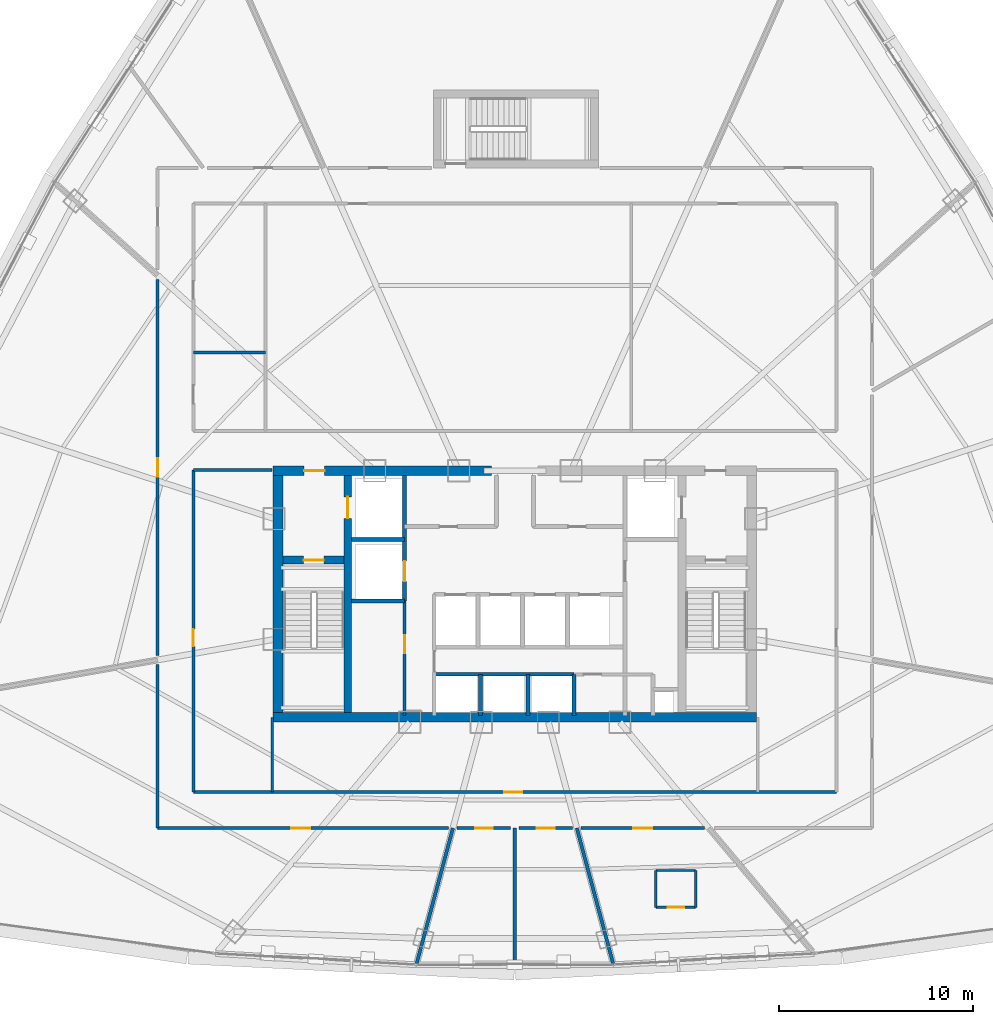
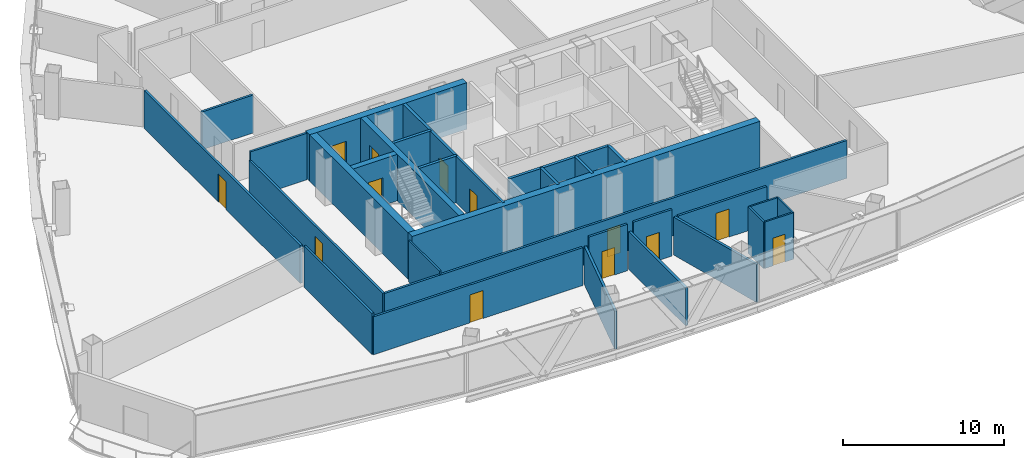
# One storey, part 29 of 36: 31 walls, 13 doors, 13 openings.
"""IFC4 building model written with IfcOpenShell, lengths in metres."""

from ifc_helpers import new_model, si_unit, direction, frame, frame_2d, origin, origin_with_axes, place, context, subcontext, project, spatial, rectangle, extrude, source, transform, mapped, material, layer, layer_set, type_object, element, fill, save


model = new_model("IFC4")

# Units and contexts
model_context = context("Model", 3, precision=1e-05, world=origin(), true_north=direction((0.0, 1.0)))
body_context = subcontext(model_context, "Body", "Model", "MODEL_VIEW")
ifc_project = project(units=[si_unit("LENGTHUNIT", "METRE"), si_unit("AREAUNIT", "SQUARE_METRE"), si_unit("VOLUMEUNIT", "CUBIC_METRE"), si_unit("PLANEANGLEUNIT", "RADIAN"), si_unit("MASSUNIT", "GRAM", prefix="KILO"), si_unit("THERMODYNAMICTEMPERATUREUNIT", "KELVIN"), si_unit("POWERUNIT", "WATT")], contexts=[model_context])

# Site, building, storey
site_placement = place(None, origin())
site = spatial("IfcSite", under=ifc_project, at=site_placement, CompositionType="ELEMENT")
building_placement = place(site_placement, origin())
building = spatial("IfcBuilding", under=site, at=building_placement, Name="Yunzhuo Pagoda Commons", CompositionType="ELEMENT")
storey_placement = place(building_placement, frame((0.0, 0.0, 215.159912109375)))
storey = spatial("IfcBuildingStorey", under=building, at=storey_placement, Name="L54", CompositionType="ELEMENT", Elevation=215.159912109375)

# Wall
ifc_material_1 = material(Name="Concrete C50", Category="concrete")
ifc_layer_1 = layer(ifc_material_1, 0.5)
ifc_layer_set_1 = layer_set([ifc_layer_1], Name="Concrete C50")
wall_type_1 = type_object("IfcWallType", Name="W-C03 Upper Core Shear Wall 500", PredefinedType="SHEAR", material=ifc_layer_set_1)
wall_1_placement = place(storey_placement, frame((35.550048828125, 27.5, 0.0), z_axis=(0.0, 0.0, 1.0), x_axis=(1.0, 0.0, 0.0)))
element("IfcWall", 1, at=wall_1_placement, inside=storey, type_object=wall_type_1, Name="L54 core shear wall S", PredefinedType="SHEAR", context=body_context, shape_type="SweptSolid", body=[
    extrude(rectangle(XDim=24.89990234375, YDim=0.5, at=frame_2d((12.449951171875, 0.0))), origin(), (0.0, 0.0, 1.0), 3.52001953125),
])

# Wall, opening, door
wall_2_placement = place(storey_placement, frame((35.550048828125, 40.199951171875, 0.0), z_axis=(0.0, 0.0, 1.0), x_axis=(1.0, 0.0, 0.0)))
wall_2 = element("IfcWall", 2, at=wall_2_placement, inside=storey, type_object=wall_type_1, Name="L54 core shear wall NW", PredefinedType="SHEAR", context=body_context, shape_type="SweptSolid", body=[
    extrude(rectangle(XDim=11.25, YDim=0.5, at=frame_2d((5.625, 0.0))), origin(), (0.0, 0.0, 1.0), 3.52001953125),
])
opening_1_placement = place(wall_2_placement, frame((1.60009765625, 0.0, 0.0)))
opening_1 = element("IfcOpeningElement", 3, at=opening_1_placement, cuts=wall_2, Name="Opening D-02", PredefinedType="OPENING", context=body_context, shape_type="SweptSolid", body=[
    extrude(rectangle(XDim=1.050048828125, YDim=2.10009765625, at=frame_2d((0.52490234375, 1.050048828125))), frame((0.0, 0.260009765625, 0.0), z_axis=(0.0, -1.0, 0.0), x_axis=(1.0, 0.0, 0.0)), (0.0, 0.0, 1.0), 0.52001953125),
])
ifc_material_2 = material(Name="Galvanized fire-resisting metal leaf")
door_type_1 = type_object("IfcDoorType", Name="D-02 Firefighting Lobby & Refuge Fire Door 1050x2100", OperationType="NOTDEFINED", PredefinedType="DOOR", material=ifc_material_2)
shared_shape_1 = source(origin(), body_context, "Body", "SweptSolid", [
    extrude(rectangle(XDim=1.050048828125, YDim=2.10009765625, at=frame_2d((0.52490234375, 1.050048828125))), frame((0.0, 0.02490234375, 0.0), z_axis=(0.0, -1.0, 0.0), x_axis=(1.0, 0.0, 0.0)), (0.0, 0.0, 1.0), 0.050048828125),
])
door_1_placement = place(opening_1_placement, frame((1.050048828125, 0.0, 0.0), z_axis=(0.0, 0.0, 1.0), x_axis=(-1.0, 0.0, 0.0)))
door_1 = element("IfcDoor", 4, at=door_1_placement, inside=storey, type_object=door_type_1, Name="L54 Firefighting Lobby 1 fire door", OperationType="SINGLE_SWING_LEFT", OverallHeight=2.10009765625, OverallWidth=1.050048828125, PredefinedType="DOOR", context=body_context, shape_type="MappedRepresentation", body=[
    mapped(shared_shape_1, transform((0.0, 0.0, 0.0), scale=1.0)),
])
fill(opening_1, door_1)

# Wall
wall_3_placement = place(storey_placement, frame((35.800048828125, 27.75, 0.0), z_axis=(0.0, 0.0, 1.0), x_axis=(0.0, 1.0, 0.0)))
element("IfcWall", 5, at=wall_3_placement, inside=storey, type_object=wall_type_1, Name="L54 core shear wall W", PredefinedType="SHEAR", context=body_context, shape_type="SweptSolid", body=[
    extrude(rectangle(XDim=12.199951171875, YDim=0.5, at=frame_2d((6.10009765625, 0.0))), origin(), (0.0, 0.0, 1.0), 3.52001953125),
])

# Wall, opening, door
ifc_material_3 = material(Name="Gypsum plasterboard on acoustic stud")
ifc_layer_2 = layer(ifc_material_3, 0.155029296875)
ifc_layer_set_2 = layer_set([ifc_layer_2], Name="Gypsum plasterboard on acoustic stud")
wall_type_2 = type_object("IfcWallType", Name="W-COR2 Mid-Zone Rated Corridor Wall 155", PredefinedType="PARTITIONING", material=ifc_layer_set_2)
wall_4_placement = place(storey_placement, frame((42.320068359375, 27.60009765625, 0.0), z_axis=(0.0, 0.0, 1.0), x_axis=(0.0, 1.0, 0.0)))
wall_4 = element("IfcWall", 6, at=wall_4_placement, inside=storey, type_object=wall_type_2, Name="L54 interior wall IW-L54-CSWE", PredefinedType="PARTITIONING", context=body_context, shape_type="SweptSolid", body=[
    extrude(rectangle(XDim=5.89990234375, YDim=0.155029296875, at=frame_2d((2.949951171875, 0.0))), origin(), (0.0, 0.0, 1.0), 3.52001953125),
])
opening_2_placement = place(wall_4_placement, frame((3.199951171875, 0.0, 0.0)))
opening_2 = element("IfcOpeningElement", 7, at=opening_2_placement, cuts=wall_4, Name="Opening D-11", PredefinedType="OPENING", context=body_context, shape_type="SweptSolid", body=[
    extrude(rectangle(XDim=0.93994140625, YDim=2.10009765625, at=frame_2d((0.469970703125, 1.050048828125))), frame((0.0, 0.08740234375, 0.0), z_axis=(0.0, -1.0, 0.0), x_axis=(1.0, 0.0, 0.0)), (0.0, 0.0, 1.0), 0.175048828125),
])
door_type_2 = type_object("IfcDoorType", Name="D-11 Accessible Washroom Fire Door 940x2100", OperationType="NOTDEFINED", PredefinedType="DOOR", material=ifc_material_2)
shared_shape_2 = source(origin(), body_context, "Body", "SweptSolid", [
    extrude(rectangle(XDim=0.93994140625, YDim=2.10009765625, at=frame_2d((0.469970703125, 1.050048828125))), frame((0.0, 0.02490234375, 0.0), z_axis=(0.0, -1.0, 0.0), x_axis=(1.0, 0.0, 0.0)), (0.0, 0.0, 1.0), 0.050048828125),
])
door_2_placement = place(opening_2_placement, origin_with_axes())
door_2 = element("IfcDoor", 8, at=door_2_placement, inside=storey, type_object=door_type_2, Name="L54 core WC door", OperationType="SINGLE_SWING_LEFT", OverallHeight=2.10009765625, OverallWidth=0.93994140625, PredefinedType="DOOR", context=body_context, shape_type="MappedRepresentation", body=[
    mapped(shared_shape_2, transform((0.0, 0.0, 0.0), scale=1.0)),
])
fill(opening_2, door_2)

# Wall
wall_5_placement = place(storey_placement, frame((31.449951171875, 46.300048828125, 0.0), z_axis=(0.0, 0.0, 1.0), x_axis=(1.0, 0.0, 0.0)))
element("IfcWall", 9, at=wall_5_placement, inside=storey, type_object=wall_type_2, Name="L54 interior wall IW-L54-MCWCN", PredefinedType="PARTITIONING", context=body_context, shape_type="SweptSolid", body=[
    extrude(rectangle(XDim=3.699951171875, YDim=0.155029296875, at=frame_2d((1.85009765625, 0.0))), origin(), (0.0, 0.0, 1.0), 2.8701171875),
])

# Wall, opening, door
wall_6_placement = place(storey_placement, frame((31.449951171875, 23.64990234375, 0.0), z_axis=(0.0, 0.0, 1.0), x_axis=(0.0, 1.0, 0.0)))
wall_6 = element("IfcWall", 10, at=wall_6_placement, inside=storey, type_object=wall_type_2, Name="L54 interior wall IW-L54-SFLW", PredefinedType="PARTITIONING", context=body_context, shape_type="SweptSolid", body=[
    extrude(rectangle(XDim=16.60009765625, YDim=0.155029296875, at=frame_2d((8.300048828125, 0.0))), origin(), (0.0, 0.0, 1.0), 2.8701171875),
])
opening_3_placement = place(wall_6_placement, frame((7.5, 0.0, 0.0)))
opening_3 = element("IfcOpeningElement", 11, at=opening_3_placement, cuts=wall_6, Name="Opening D-12", PredefinedType="OPENING", context=body_context, shape_type="SweptSolid", body=[
    extrude(rectangle(XDim=0.89990234375, YDim=2.080078125, at=frame_2d((0.449951171875, 1.0400390625))), frame((0.0, 0.08740234375, 0.0), z_axis=(0.0, -1.0, 0.0), x_axis=(1.0, 0.0, 0.0)), (0.0, 0.0, 1.0), 0.175048828125),
])
ifc_material_4 = material(Name="Powder-coated aluminium and timber acoustic leaf", Category="wood")
door_type_3 = type_object("IfcDoorType", Name="D-12 Quiet Study Interior Door 900x2080", OperationType="NOTDEFINED", PredefinedType="DOOR", material=ifc_material_4)
shared_shape_3 = source(origin(), body_context, "Body", "SweptSolid", [
    extrude(rectangle(XDim=0.89990234375, YDim=2.080078125, at=frame_2d((0.449951171875, 1.0400390625))), frame((0.0, 0.02490234375, 0.0), z_axis=(0.0, -1.0, 0.0), x_axis=(1.0, 0.0, 0.0)), (0.0, 0.0, 1.0), 0.050048828125),
])
door_3_placement = place(opening_3_placement, origin_with_axes())
door_3 = element("IfcDoor", 12, at=door_3_placement, inside=storey, type_object=door_type_3, Name="L54 west study workroom door", OperationType="SINGLE_SWING_LEFT", OverallHeight=2.080078125, OverallWidth=0.89990234375, PredefinedType="DOOR", context=body_context, shape_type="MappedRepresentation", body=[
    mapped(shared_shape_3, transform((0.0, 0.0, 0.0), scale=1.0)),
])
fill(opening_3, door_3)

wall_7_placement = place(storey_placement, frame((31.449951171875, 23.64990234375, 0.0), z_axis=(0.0, 0.0, 1.0), x_axis=(1.0, 0.0, 0.0)))
wall_7 = element("IfcWall", 13, at=wall_7_placement, inside=storey, type_object=wall_type_2, Name="L54 interior wall IW-L54-SFLS", PredefinedType="PARTITIONING", context=body_context, shape_type="SweptSolid", body=[
    extrude(rectangle(XDim=33.10009765625, YDim=0.155029296875, at=frame_2d((16.550048828125, 0.0))), origin(), (0.0, 0.0, 1.0), 2.8701171875),
])
opening_4_placement = place(wall_7_placement, frame((16.0, 0.0, 0.0)))
opening_4 = element("IfcOpeningElement", 14, at=opening_4_placement, cuts=wall_7, Name="Opening D-04", PredefinedType="OPENING", context=body_context, shape_type="SweptSolid", body=[
    extrude(rectangle(XDim=0.919921875, YDim=2.10009765625, at=frame_2d((0.4599609375, 1.050048828125))), frame((0.0, 0.08740234375, 0.0), z_axis=(0.0, -1.0, 0.0), x_axis=(1.0, 0.0, 0.0)), (0.0, 0.0, 1.0), 0.175048828125),
])
door_type_4 = type_object("IfcDoorType", Name="D-04 Bedroom & Study Interior Door 920x2100", OperationType="NOTDEFINED", PredefinedType="DOOR", material=ifc_material_4)
shared_shape_4 = source(origin(), body_context, "Body", "SweptSolid", [
    extrude(rectangle(XDim=0.919921875, YDim=2.10009765625, at=frame_2d((0.4599609375, 1.050048828125))), frame((0.0, 0.02490234375, 0.0), z_axis=(0.0, -1.0, 0.0), x_axis=(1.0, 0.0, 0.0)), (0.0, 0.0, 1.0), 0.050048828125),
])
door_4_placement = place(opening_4_placement, frame((0.919921875, 0.0, 0.0), z_axis=(0.0, 0.0, 1.0), x_axis=(-1.0, 0.0, 0.0)))
door_4 = element("IfcDoor", 15, at=door_4_placement, inside=storey, type_object=door_type_4, Name="L54 south seminar room door", OperationType="SINGLE_SWING_RIGHT", OverallHeight=2.10009765625, OverallWidth=0.919921875, PredefinedType="DOOR", context=body_context, shape_type="MappedRepresentation", body=[
    mapped(shared_shape_4, transform((0.0, 0.0, 0.0), scale=1.0)),
])
fill(opening_4, door_4)

# Walls
wall_8_placement = place(storey_placement, frame((31.449951171875, 40.25, 0.0), z_axis=(0.0, 0.0, 1.0), x_axis=(1.0, 0.0, 0.0)))
element("IfcWall", 16, at=wall_8_placement, inside=storey, type_object=wall_type_2, Name="L54 interior wall IW-L54-SFLNW", PredefinedType="PARTITIONING", context=body_context, shape_type="SweptSolid", body=[
    extrude(rectangle(XDim=4.050048828125, YDim=0.155029296875, at=frame_2d((2.02490234375, 0.0))), origin(), (0.0, 0.0, 1.0), 3.52001953125),
])
wall_9_placement = place(storey_placement, frame((29.60009765625, 21.800048828125, 0.0), z_axis=(0.0, 0.0, 1.0), x_axis=(0.0, 1.0, 0.0)))
element("IfcWall", 17, at=wall_9_placement, inside=storey, type_object=wall_type_2, Name="L54 interior wall IW-L54-CWL01", PredefinedType="PARTITIONING", context=body_context, shape_type="SweptSolid", body=[
    extrude(rectangle(XDim=8.43212890625, YDim=0.155029296875, at=frame_2d((4.216064453125, 0.0))), origin(), (0.0, 0.0, 1.0), 3.1201171875),
])

# Wall, opening, door
wall_10_placement = place(storey_placement, frame((29.60009765625, 30.67529296875, 0.0), z_axis=(0.0, 0.0, 1.0), x_axis=(0.0, 1.0, 0.0)))
wall_10 = element("IfcWall", 18, at=wall_10_placement, inside=storey, type_object=wall_type_2, Name="L54 interior wall IW-L54-CWL02", PredefinedType="PARTITIONING", context=body_context, shape_type="SweptSolid", body=[
    extrude(rectangle(XDim=19.372314453125, YDim=0.155029296875, at=frame_2d((9.68603515625, 0.0))), origin(), (0.0, 0.0, 1.0), 2.8701171875),
])
opening_5_placement = place(wall_10_placement, frame((9.211181640625, 0.0, 0.0)))
opening_5 = element("IfcOpeningElement", 19, at=opening_5_placement, cuts=wall_10, Name="Opening D-07", PredefinedType="OPENING", context=body_context, shape_type="SweptSolid", body=[
    extrude(rectangle(XDim=0.9599609375, YDim=2.1201171875, at=frame_2d((0.47998046875, 1.06005859375))), frame((0.0, 0.08740234375, 0.0), z_axis=(0.0, -1.0, 0.0), x_axis=(1.0, 0.0, 0.0)), (0.0, 0.0, 1.0), 0.175048828125),
])
door_type_5 = type_object("IfcDoorType", Name="D-07 Mid-Zone Suite Entrance Fire Door 960x2120", OperationType="NOTDEFINED", PredefinedType="DOOR", material=ifc_material_2)
shared_shape_5 = source(origin(), body_context, "Body", "SweptSolid", [
    extrude(rectangle(XDim=0.9599609375, YDim=2.1201171875, at=frame_2d((0.47998046875, 1.06005859375))), frame((0.0, 0.02490234375, 0.0), z_axis=(0.0, -1.0, 0.0), x_axis=(1.0, 0.0, 0.0)), (0.0, 0.0, 1.0), 0.050048828125),
])
door_5_placement = place(opening_5_placement, origin_with_axes())
door_5 = element("IfcDoor", 20, at=door_5_placement, inside=storey, type_object=door_type_5, Name="L54 Resident Co-Living Commons Hall door", OperationType="SINGLE_SWING_RIGHT", OverallHeight=2.1201171875, OverallWidth=0.9599609375, PredefinedType="DOOR", context=body_context, shape_type="MappedRepresentation", body=[
    mapped(shared_shape_5, transform((0.0, 0.0, 0.0), scale=1.0)),
])
fill(opening_5, door_5)

wall_11_placement = place(storey_placement, frame((57.765380859375, 21.800048828125, 0.0), z_axis=(0.0, 0.0, 1.0), x_axis=(-1.0, 0.0, 0.0)))
wall_11 = element("IfcWall", 21, at=wall_11_placement, inside=storey, type_object=wall_type_2, Name="L54 interior wall IW-L54-CWL14", PredefinedType="PARTITIONING", context=body_context, shape_type="SweptSolid", body=[
    extrude(rectangle(XDim=6.348876953125, YDim=0.155029296875, at=frame_2d((3.17431640625, 0.0))), origin(), (0.0, 0.0, 1.0), 2.8701171875),
])
opening_6_placement = place(wall_11_placement, frame((2.703369140625, 0.0, 0.0)))
opening_6 = element("IfcOpeningElement", 22, at=opening_6_placement, cuts=wall_11, Name="Opening D-07", PredefinedType="OPENING", context=body_context, shape_type="SweptSolid", body=[
    extrude(rectangle(XDim=0.9599609375, YDim=2.1201171875, at=frame_2d((0.47998046875, 1.06005859375))), frame((0.0, 0.08740234375, 0.0), z_axis=(0.0, -1.0, 0.0), x_axis=(1.0, 0.0, 0.0)), (0.0, 0.0, 1.0), 0.175048828125),
])
door_6_placement = place(opening_6_placement, origin_with_axes())
door_6 = element("IfcDoor", 23, at=door_6_placement, inside=storey, type_object=door_type_5, Name="L54 unit 11 entrance door", OperationType="SINGLE_SWING_RIGHT", OverallHeight=2.1201171875, OverallWidth=0.9599609375, PredefinedType="DOOR", context=body_context, shape_type="MappedRepresentation", body=[
    mapped(shared_shape_5, transform((0.0, 0.0, 0.0), scale=1.0)),
])
fill(opening_6, door_6)

wall_12_placement = place(storey_placement, frame((50.96875, 21.800048828125, 0.0), z_axis=(0.0, 0.0, 1.0), x_axis=(-1.0, 0.0, 0.0)))
wall_12 = element("IfcWall", 24, at=wall_12_placement, inside=storey, type_object=wall_type_2, Name="L54 interior wall IW-L54-CWL15", PredefinedType="PARTITIONING", context=body_context, shape_type="SweptSolid", body=[
    extrude(rectangle(XDim=2.748779296875, YDim=0.155029296875, at=frame_2d((1.37451171875, 0.0))), origin(), (0.0, 0.0, 1.0), 3.52001953125),
])
opening_7_placement = place(wall_12_placement, frame((0.91455078125, 0.0, 0.0)))
opening_7 = element("IfcOpeningElement", 25, at=opening_7_placement, cuts=wall_12, Name="Opening D-04", PredefinedType="OPENING", context=body_context, shape_type="SweptSolid", body=[
    extrude(rectangle(XDim=0.919921875, YDim=2.10009765625, at=frame_2d((0.4599609375, 1.050048828125))), frame((0.0, 0.08740234375, 0.0), z_axis=(0.0, -1.0, 0.0), x_axis=(1.0, 0.0, 0.0)), (0.0, 0.0, 1.0), 0.175048828125),
])
door_7_placement = place(opening_7_placement, origin_with_axes())
door_7 = element("IfcDoor", 26, at=door_7_placement, inside=storey, type_object=door_type_4, Name="L54 seminar room 10 door", OperationType="SINGLE_SWING_LEFT", OverallHeight=2.10009765625, OverallWidth=0.919921875, PredefinedType="DOOR", context=body_context, shape_type="MappedRepresentation", body=[
    mapped(shared_shape_4, transform((0.0, 0.0, 0.0), scale=1.0)),
])
fill(opening_7, door_7)

wall_13_placement = place(storey_placement, frame((47.780029296875, 21.800048828125, 0.0), z_axis=(0.0, 0.0, 1.0), x_axis=(-1.0, 0.0, 0.0)))
wall_13 = element("IfcWall", 27, at=wall_13_placement, inside=storey, type_object=wall_type_2, Name="L54 interior wall IW-L54-CWL16", PredefinedType="PARTITIONING", context=body_context, shape_type="SweptSolid", body=[
    extrude(rectangle(XDim=2.748779296875, YDim=0.155029296875, at=frame_2d((1.37451171875, 0.0))), origin(), (0.0, 0.0, 1.0), 3.52001953125),
])
opening_8_placement = place(wall_13_placement, frame((0.914306640625, 0.0, 0.0)))
opening_8 = element("IfcOpeningElement", 28, at=opening_8_placement, cuts=wall_13, Name="Opening D-12", PredefinedType="OPENING", context=body_context, shape_type="SweptSolid", body=[
    extrude(rectangle(XDim=0.89990234375, YDim=2.080078125, at=frame_2d((0.449951171875, 1.0400390625))), frame((0.0, 0.08740234375, 0.0), z_axis=(0.0, -1.0, 0.0), x_axis=(1.0, 0.0, 0.0)), (0.0, 0.0, 1.0), 0.175048828125),
])
door_8_placement = place(opening_8_placement, origin_with_axes())
door_8 = element("IfcDoor", 29, at=door_8_placement, inside=storey, type_object=door_type_3, Name="L54 study lounge 09 door", OperationType="SINGLE_SWING_RIGHT", OverallHeight=2.080078125, OverallWidth=0.89990234375, PredefinedType="DOOR", context=body_context, shape_type="MappedRepresentation", body=[
    mapped(shared_shape_3, transform((0.0, 0.0, 0.0), scale=1.0)),
])
fill(opening_8, door_8)

wall_14_placement = place(storey_placement, frame((44.58349609375, 21.800048828125, 0.0), z_axis=(0.0, 0.0, 1.0), x_axis=(-1.0, 0.0, 0.0)))
wall_14 = element("IfcWall", 30, at=wall_14_placement, inside=storey, type_object=wall_type_2, Name="L54 interior wall IW-L54-CWL17", PredefinedType="PARTITIONING", context=body_context, shape_type="SweptSolid", body=[
    extrude(rectangle(XDim=14.9833984375, YDim=0.155029296875, at=frame_2d((7.49169921875, 0.0))), origin(), (0.0, 0.0, 1.0), 2.8701171875),
])
opening_9_placement = place(wall_14_placement, frame((7.1328125, 0.0, 0.0)))
opening_9 = element("IfcOpeningElement", 31, at=opening_9_placement, cuts=wall_14, Name="Opening D-07", PredefinedType="OPENING", context=body_context, shape_type="SweptSolid", body=[
    extrude(rectangle(XDim=0.9599609375, YDim=2.1201171875, at=frame_2d((0.47998046875, 1.06005859375))), frame((0.0, 0.08740234375, 0.0), z_axis=(0.0, -1.0, 0.0), x_axis=(1.0, 0.0, 0.0)), (0.0, 0.0, 1.0), 0.175048828125),
])
door_9_placement = place(opening_9_placement, origin_with_axes())
door_9 = element("IfcDoor", 32, at=door_9_placement, inside=storey, type_object=door_type_5, Name="L54 Academic Reading Commons 2 door", OperationType="SINGLE_SWING_LEFT", OverallHeight=2.1201171875, OverallWidth=0.9599609375, PredefinedType="DOOR", context=body_context, shape_type="MappedRepresentation", body=[
    mapped(shared_shape_5, transform((0.0, 0.0, 0.0), scale=1.0)),
])
fill(opening_9, door_9)

# Wall
ifc_layer_3 = layer(ifc_material_3, 0.1201171875)
ifc_layer_set_3 = layer_set([ifc_layer_3], Name="Gypsum plasterboard on acoustic stud")
wall_type_3 = type_object("IfcWallType", Name="W-PRT1 Suite & Bathroom Partition 120", PredefinedType="PARTITIONING", material=ifc_layer_set_3)
wall_15_placement = place(storey_placement, frame((35.5, 23.64990234375, 0.0), z_axis=(0.0, 0.0, 1.0), x_axis=(0.0, 1.0, 0.0)))
element("IfcWall", 33, at=wall_15_placement, inside=storey, type_object=wall_type_3, Name="L54 interior wall IW-L54-SFLD1", PredefinedType="PARTITIONING", context=body_context, shape_type="SweptSolid", body=[
    extrude(rectangle(XDim=3.85009765625, YDim=0.1201171875, at=frame_2d((1.925048828125, 0.0))), origin(), (0.0, 0.0, 1.0), 3.1201171875),
])

# Wall, opening, door
wall_16_placement = place(storey_placement, frame((55.261962890625, 17.718994140625, 0.0), z_axis=(0.0, 0.0, 1.0), x_axis=(1.0, 0.0, 0.0)))
wall_16 = element("IfcWall", 34, at=wall_16_placement, inside=storey, type_object=wall_type_3, Name="L54 interior wall IW-L54-B11S", PredefinedType="PARTITIONING", context=body_context, shape_type="SweptSolid", body=[
    extrude(rectangle(XDim=2.050048828125, YDim=0.1201171875, at=frame_2d((1.02490234375, 0.0))), origin(), (0.0, 0.0, 1.0), 3.52001953125),
])
opening_10_placement = place(wall_16_placement, frame((0.60009765625, 0.0, 0.0)))
opening_10 = element("IfcOpeningElement", 35, at=opening_10_placement, cuts=wall_16, Name="Opening D-05", PredefinedType="OPENING", context=body_context, shape_type="SweptSolid", body=[
    extrude(rectangle(XDim=0.85009765625, YDim=2.10009765625, at=frame_2d((0.425048828125, 1.050048828125))), frame((0.0, 0.070068359375, 0.0), z_axis=(0.0, -1.0, 0.0), x_axis=(1.0, 0.0, 0.0)), (0.0, 0.0, 1.0), 0.14013671875),
])
door_type_6 = type_object("IfcDoorType", Name="D-05 En-Suite Bathroom Door 850x2100", OperationType="NOTDEFINED", PredefinedType="DOOR", material=ifc_material_4)
shared_shape_6 = source(origin(), body_context, "Body", "SweptSolid", [
    extrude(rectangle(XDim=0.85009765625, YDim=2.10009765625, at=frame_2d((0.425048828125, 1.050048828125))), frame((0.0, 0.02490234375, 0.0), z_axis=(0.0, -1.0, 0.0), x_axis=(1.0, 0.0, 0.0)), (0.0, 0.0, 1.0), 0.050048828125),
])
door_10_placement = place(opening_10_placement, frame((0.85009765625, 0.0, 0.0), z_axis=(0.0, 0.0, 1.0), x_axis=(-1.0, 0.0, 0.0)))
door_10 = element("IfcDoor", 36, at=door_10_placement, inside=storey, type_object=door_type_6, Name="L54 unit 11 bathroom door", OperationType="SINGLE_SWING_RIGHT", OverallHeight=2.10009765625, OverallWidth=0.85009765625, PredefinedType="DOOR", context=body_context, shape_type="MappedRepresentation", body=[
    mapped(shared_shape_6, transform((0.0, 0.0, 0.0), scale=1.0)),
])
fill(opening_10, door_10)

# Walls
wall_17_placement = place(storey_placement, frame((57.31201171875, 17.718994140625, 0.0), z_axis=(0.0, 0.0, 1.0), x_axis=(0.0, 1.0, 0.0)))
element("IfcWall", 37, at=wall_17_placement, inside=storey, type_object=wall_type_3, Name="L54 interior wall IW-L54-B11E", PredefinedType="PARTITIONING", context=body_context, shape_type="SweptSolid", body=[
    extrude(rectangle(XDim=1.89990234375, YDim=0.1201171875, at=frame_2d((0.949951171875, 0.0))), origin(), (0.0, 0.0, 1.0), 3.52001953125),
])
wall_18_placement = place(storey_placement, frame((57.31201171875, 19.618896484375, 0.0), z_axis=(0.0, 0.0, 1.0), x_axis=(-1.0, 0.0, 0.0)))
element("IfcWall", 38, at=wall_18_placement, inside=storey, type_object=wall_type_3, Name="L54 interior wall IW-L54-B11N", PredefinedType="PARTITIONING", context=body_context, shape_type="SweptSolid", body=[
    extrude(rectangle(XDim=2.050048828125, YDim=0.1201171875, at=frame_2d((1.02490234375, 0.0))), origin(), (0.0, 0.0, 1.0), 3.52001953125),
])
wall_19_placement = place(storey_placement, frame((55.261962890625, 19.618896484375, 0.0), z_axis=(0.0, 0.0, 1.0), x_axis=(0.0, -1.0, 0.0)))
element("IfcWall", 39, at=wall_19_placement, inside=storey, type_object=wall_type_3, Name="L54 interior wall IW-L54-B11W", PredefinedType="PARTITIONING", context=body_context, shape_type="SweptSolid", body=[
    extrude(rectangle(XDim=1.89990234375, YDim=0.1201171875, at=frame_2d((0.949951171875, 0.0))), origin(), (0.0, 0.0, 1.0), 3.52001953125),
])
ifc_layer_4 = layer(ifc_material_3, 0.175048828125)
ifc_layer_set_4 = layer_set([ifc_layer_4], Name="Gypsum plasterboard on acoustic stud")
wall_type_4 = type_object("IfcWallType", Name="W-PRT3 Mid-Zone Demising Wall 175", PredefinedType="PARTITIONING", material=ifc_layer_set_4)
wall_20_placement = place(storey_placement, frame((44.811279296875, 21.800048828125, 0.0), z_axis=(0.0, 0.0, 1.0), x_axis=(-0.258817575638, -0.96592622003, 0.0)))
element("IfcWall", 40, at=wall_20_placement, inside=storey, type_object=wall_type_4, Name="L54 interior wall IW-L54-RAD08", PredefinedType="PARTITIONING", context=body_context, shape_type="SweptSolid", body=[
    extrude(rectangle(XDim=7.287841796875, YDim=0.175048828125, at=frame_2d((3.64404296875, 0.0))), origin(), (0.0, 0.0, 1.0), 2.8701171875),
])
wall_21_placement = place(storey_placement, frame((48.0, 21.800048828125, 0.0), z_axis=(0.0, 0.0, 1.0), x_axis=(0.0, -1.0, 0.0)))
element("IfcWall", 41, at=wall_21_placement, inside=storey, type_object=wall_type_4, Name="L54 interior wall IW-L54-RAD09", PredefinedType="PARTITIONING", context=body_context, shape_type="SweptSolid", body=[
    extrude(rectangle(XDim=7.03955078125, YDim=0.175048828125, at=frame_2d((3.519775390625, 0.0))), origin(), (0.0, 0.0, 1.0), 2.8701171875),
])
wall_22_placement = place(storey_placement, frame((51.188720703125, 21.800048828125, 0.0), z_axis=(0.0, 0.0, 1.0), x_axis=(0.258817575638, -0.96592622003, 0.0)))
element("IfcWall", 42, at=wall_22_placement, inside=storey, type_object=wall_type_4, Name="L54 interior wall IW-L54-RAD10", PredefinedType="PARTITIONING", context=body_context, shape_type="SweptSolid", body=[
    extrude(rectangle(XDim=7.287841796875, YDim=0.175048828125, at=frame_2d((3.64404296875, 0.0))), origin(), (0.0, 0.0, 1.0), 2.8701171875),
])

# Wall, opening, door
ifc_material_5 = material(Name="Concrete C60", Category="concrete")
ifc_layer_5 = layer(ifc_material_5, 0.39990234375)
ifc_layer_set_5 = layer_set([ifc_layer_5], Name="Concrete C60")
wall_type_5 = type_object("IfcWallType", Name="W-S01 Internal Core Shear Web 400", PredefinedType="SHEAR", material=ifc_layer_set_5)
wall_23_placement = place(storey_placement, frame((39.39990234375, 27.75, 0.0), z_axis=(0.0, 0.0, 1.0), x_axis=(0.0, 1.0, 0.0)))
wall_23 = element("IfcWall", 43, at=wall_23_placement, inside=storey, type_object=wall_type_5, Name="L54 core shear wall WEBW", PredefinedType="SHEAR", context=body_context, shape_type="SweptSolid", body=[
    extrude(rectangle(XDim=12.199951171875, YDim=0.39990234375, at=frame_2d((6.10009765625, 0.0))), origin(), (0.0, 0.0, 1.0), 3.52001953125),
])
opening_11_placement = place(wall_23_placement, frame((10.0, 0.0, 0.0)))
opening_11 = element("IfcOpeningElement", 44, at=opening_11_placement, cuts=wall_23, Name="Opening LD-01", PredefinedType="OPENING", context=body_context, shape_type="SweptSolid", body=[
    extrude(rectangle(XDim=1.10009765625, YDim=2.10009765625, at=frame_2d((0.550048828125, 1.050048828125))), frame((0.0, 0.2099609375, 0.0), z_axis=(0.0, -1.0, 0.0), x_axis=(1.0, 0.0, 0.0)), (0.0, 0.0, 1.0), 0.419921875),
])
door_type_7 = type_object("IfcDoorType", Name="LD-01 Firefighting Lift Landing Door 1100x2100", OperationType="DOUBLE_DOOR_SLIDING", PredefinedType="DOOR", material=ifc_material_2)
shared_shape_7 = source(origin(), body_context, "Body", "SweptSolid", [
    extrude(rectangle(XDim=1.10009765625, YDim=2.10009765625, at=frame_2d((0.550048828125, 1.050048828125))), frame((0.0, 0.02490234375, 0.0), z_axis=(0.0, -1.0, 0.0), x_axis=(1.0, 0.0, 0.0)), (0.0, 0.0, 1.0), 0.050048828125),
])
door_11_placement = place(opening_11_placement, frame((1.10009765625, 0.0, 0.0), z_axis=(0.0, 0.0, 1.0), x_axis=(-1.0, 0.0, 0.0)))
door_11 = element("IfcDoor", 45, at=door_11_placement, inside=storey, type_object=door_type_7, Name="L54 Firefighting lift FL-1 landing door", OperationType="DOUBLE_DOOR_SLIDING", OverallHeight=2.10009765625, OverallWidth=1.10009765625, PredefinedType="DOOR", context=body_context, shape_type="MappedRepresentation", body=[
    mapped(shared_shape_7, transform((0.0, 0.0, 0.0), scale=1.0)),
])
fill(opening_11, door_11)

wall_24_placement = place(storey_placement, frame((36.050048828125, 35.60009765625, 0.0), z_axis=(0.0, 0.0, 1.0), x_axis=(1.0, 0.0, 0.0)))
wall_24 = element("IfcWall", 46, at=wall_24_placement, inside=storey, type_object=wall_type_5, Name="L54 core shear wall STW", PredefinedType="SHEAR", context=body_context, shape_type="SweptSolid", body=[
    extrude(rectangle(XDim=3.14990234375, YDim=0.39990234375, at=frame_2d((1.574951171875, 0.0))), origin(), (0.0, 0.0, 1.0), 3.52001953125),
])
opening_12_placement = place(wall_24_placement, frame((1.070068359375, 0.0, 0.0)))
opening_12 = element("IfcOpeningElement", 47, at=opening_12_placement, cuts=wall_24, Name="Opening D-01", PredefinedType="OPENING", context=body_context, shape_type="SweptSolid", body=[
    extrude(rectangle(XDim=1.050048828125, YDim=2.10009765625, at=frame_2d((0.52490234375, 1.050048828125))), frame((0.0, 0.2099609375, 0.0), z_axis=(0.0, -1.0, 0.0), x_axis=(1.0, 0.0, 0.0)), (0.0, 0.0, 1.0), 0.419921875),
])
door_type_8 = type_object("IfcDoorType", Name="D-01 Smokeproof Stair Fire Door 1050x2100", OperationType="NOTDEFINED", PredefinedType="DOOR", material=ifc_material_2)
door_12_placement = place(opening_12_placement, frame((1.050048828125, 0.0, 0.0), z_axis=(0.0, 0.0, 1.0), x_axis=(-1.0, 0.0, 0.0)))
door_12 = element("IfcDoor", 48, at=door_12_placement, inside=storey, type_object=door_type_8, Name="L54 Stair ST1 fire door", OperationType="SINGLE_SWING_LEFT", OverallHeight=2.10009765625, OverallWidth=1.050048828125, PredefinedType="DOOR", context=body_context, shape_type="MappedRepresentation", body=[
    mapped(shared_shape_1, transform((0.0, 0.0, 0.0), scale=1.0)),
])
fill(opening_12, door_12)

ifc_material_6 = material(Name="Concrete C40", Category="concrete")
ifc_layer_6 = layer(ifc_material_6, 0.199951171875)
ifc_layer_set_6 = layer_set([ifc_layer_6], Name="Concrete C40")
wall_type_6 = type_object("IfcWallType", Name="W-SHF Shaft & Stair Enclosure Wall 200", PredefinedType="SOLIDWALL", material=ifc_layer_set_6)
wall_25_placement = place(storey_placement, frame((42.320068359375, 33.5, 0.0), z_axis=(0.0, 0.0, 1.0), x_axis=(0.0, 1.0, 0.0)))
wall_25 = element("IfcWall", 49, at=wall_25_placement, inside=storey, type_object=wall_type_6, Name="L54 interior wall IW-L54-FL1E", PredefinedType="SOLIDWALL", context=body_context, shape_type="SweptSolid", body=[
    extrude(rectangle(XDim=6.449951171875, YDim=0.199951171875, at=frame_2d((3.22509765625, 0.0))), origin(), (0.0, 0.0, 1.0), 3.52001953125),
])
opening_13_placement = place(wall_25_placement, frame((1.0, 0.0, 0.0)))
opening_13 = element("IfcOpeningElement", 50, at=opening_13_placement, cuts=wall_25, Name="Opening LD-02", PredefinedType="OPENING", context=body_context, shape_type="SweptSolid", body=[
    extrude(rectangle(XDim=1.050048828125, YDim=2.10009765625, at=frame_2d((0.52490234375, 1.050048828125))), frame((0.0, 0.10986328125, 0.0), z_axis=(0.0, -1.0, 0.0), x_axis=(1.0, 0.0, 0.0)), (0.0, 0.0, 1.0), 0.219970703125),
])
door_type_9 = type_object("IfcDoorType", Name="LD-02 Passenger Lift Landing Door 1050x2100", OperationType="DOUBLE_DOOR_SLIDING", PredefinedType="DOOR", material=ifc_material_2)
door_13_placement = place(opening_13_placement, origin_with_axes())
door_13 = element("IfcDoor", 51, at=door_13_placement, inside=storey, type_object=door_type_9, Name="L54 Service lift SL-1 landing door", OperationType="DOUBLE_DOOR_SLIDING", OverallHeight=2.10009765625, OverallWidth=1.050048828125, PredefinedType="DOOR", context=body_context, shape_type="MappedRepresentation", body=[
    mapped(shared_shape_1, transform((0.0, 0.0, 0.0), scale=1.0)),
])
fill(opening_13, door_13)

# Walls
for number, where, z_axis, x_axis, name in (
    (52, (39.60009765625, 36.64990234375, 0.0), (0.0, 0.0, 1.0), (1.0, 0.0, 0.0), "L54 interior wall IW-L54-FL1S"),
    (53, (39.60009765625, 33.5, 0.0), (0.0, 0.0, 1.0), (1.0, 0.0, 0.0), "L54 interior wall IW-L54-SL1S"),
):
    element("IfcWall", number, at=place(storey_placement, frame(where, z_axis=z_axis, x_axis=x_axis)), inside=storey, type_object=wall_type_6, Name=name, PredefinedType="SOLIDWALL", context=body_context, shape_type="SweptSolid", body=[
        extrude(rectangle(XDim=2.719970703125, YDim=0.199951171875, at=frame_2d((1.35986328125, 0.0))), origin(), (0.0, 0.0, 1.0), 3.52001953125),
    ])
wall_26_placement = place(storey_placement, frame((43.85009765625, 29.719970703125, 0.0), z_axis=(0.0, 0.0, 1.0), x_axis=(1.0, 0.0, 0.0)))
element("IfcWall", 54, at=wall_26_placement, inside=storey, type_object=wall_type_6, Name="L54 interior wall IW-L54-PLHN", PredefinedType="SOLIDWALL", context=body_context, shape_type="SweptSolid", body=[
    extrude(rectangle(XDim=7.199951171875, YDim=0.199951171875, at=frame_2d((3.60009765625, 0.0))), origin(), (0.0, 0.0, 1.0), 3.52001953125),
])
for number, where, z_axis, x_axis, name in (
    (55, (51.050048828125, 27.60009765625, 0.0), (0.0, 0.0, 1.0), (0.0, 1.0, 0.0), "L54 interior wall IW-L54-PLHE"),
    (56, (46.22509765625, 27.60009765625, 0.0), (0.0, 0.0, 1.0), (0.0, 1.0, 0.0), "L54 interior wall IW-L54-PLHD1"),
    (57, (48.675048828125, 27.60009765625, 0.0), (0.0, 0.0, 1.0), (0.0, 1.0, 0.0), "L54 interior wall IW-L54-PLHD2"),
):
    element("IfcWall", number, at=place(storey_placement, frame(where, z_axis=z_axis, x_axis=x_axis)), inside=storey, type_object=wall_type_6, Name=name, PredefinedType="SOLIDWALL", context=body_context, shape_type="SweptSolid", body=[
        extrude(rectangle(XDim=2.119873046875, YDim=0.199951171875, at=frame_2d((1.06005859375, 0.0))), origin(), (0.0, 0.0, 1.0), 3.52001953125),
    ])

save(model, "model.ifc")
